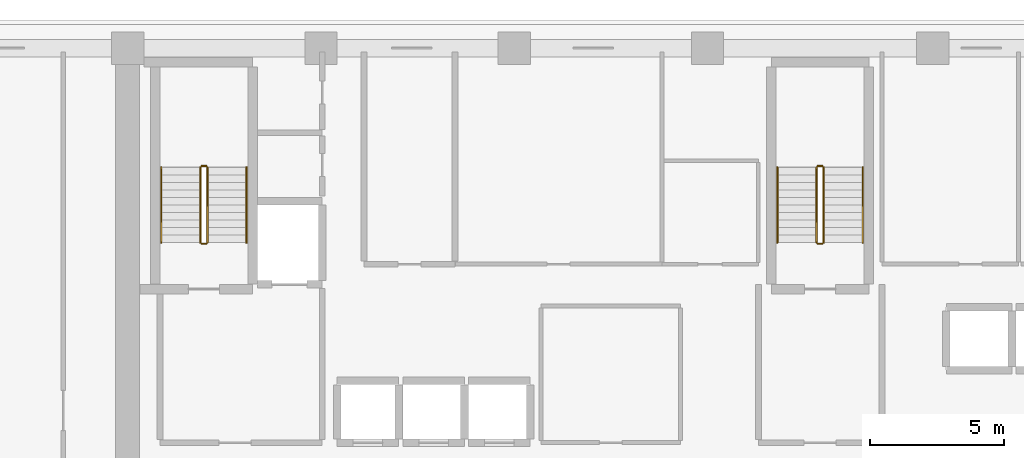
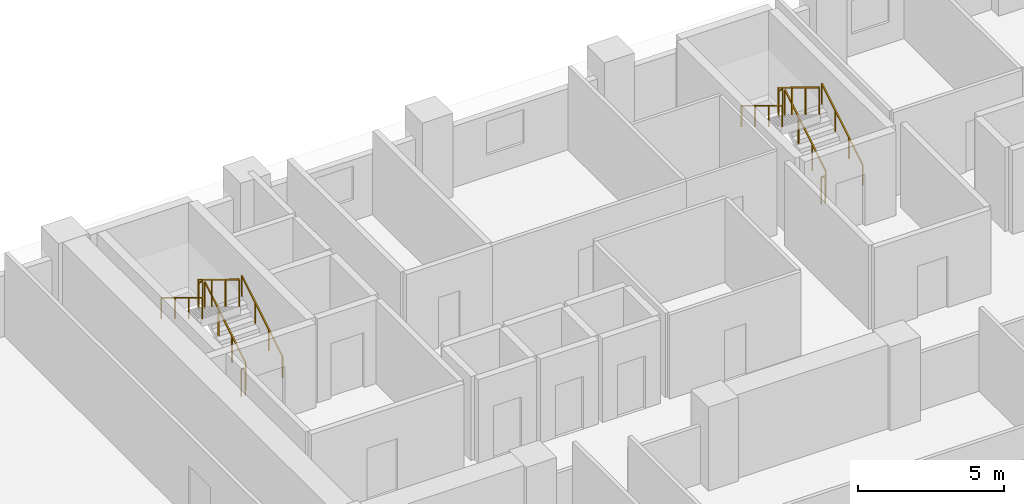
# One storey, part 12 of 14: 12 railings.
"""IFC4 building model written with IfcOpenShell, lengths in metres."""

from ifc_helpers import new_model, si_unit, direction, frame, origin, origin_2d, place, context, subcontext, project, spatial, rectangle, extrude, material, type_object, element, save


model = new_model("IFC4")

# Units and contexts
model_context = context("Model", 3, precision=1e-05, world=origin(), true_north=direction((0.0, 1.0)))
body_context = subcontext(model_context, "Body", "Model", "MODEL_VIEW")
ifc_project = project(units=[si_unit("LENGTHUNIT", "METRE"), si_unit("AREAUNIT", "SQUARE_METRE"), si_unit("VOLUMEUNIT", "CUBIC_METRE"), si_unit("PLANEANGLEUNIT", "RADIAN"), si_unit("MASSUNIT", "GRAM", prefix="KILO")], contexts=[model_context])

# Site, building, storey
site_placement = place(None, origin())
site = spatial("IfcSite", under=ifc_project, at=site_placement, CompositionType="ELEMENT")
building_placement = place(site_placement, origin())
building = spatial("IfcBuilding", under=site, at=building_placement, Name="Kaelvorn Grand Hotel", CompositionType="ELEMENT")
storey_placement = place(building_placement, frame((0.0, 0.0, 93.050048828125)))
storey = spatial("IfcBuildingStorey", under=building, at=storey_placement, Name="L21", CompositionType="ELEMENT", Elevation=93.050048828125)

# Railings
ifc_material = material(Name="Stainless Steel", Category="steel")
railing_type_1 = type_object("IfcRailingType", Name="RL-HANDRAIL-900", PredefinedType="HANDRAIL", material=ifc_material)
railing_1_placement = place(storey_placement, frame((20.6298828125, 41.760009765625, 0.17041015625)))
element("IfcRailing", 1, at=railing_1_placement, inside=storey, type_object=railing_type_1, Name="L21 ST1 stair handrail 1", PredefinedType="HANDRAIL", context=body_context, shape_type="SweptSolid", body=[
    extrude(rectangle(XDim=0.048095703125, YDim=0.048095703125, at=origin_2d()), frame((0.0, 0.0, 0.8759765625), z_axis=(0.0, 0.854169791009, 0.51999420009), x_axis=(-1.0, 0.0, 0.0)), (0.0, 0.0, 1.0), 3.278076171875),
    extrude(rectangle(XDim=0.0419921875, YDim=0.0419921875, at=origin_2d()), origin(), (0.0, 0.0, 1.0), 0.851806640625),
    extrude(rectangle(XDim=0.0419921875, YDim=0.0419921875, at=origin_2d()), frame((0.0, 0.933349609375, 0.568115234375)), (0.0, 0.0, 1.0), 0.851806640625),
    extrude(rectangle(XDim=0.0419921875, YDim=0.0419921875, at=origin_2d()), frame((0.0, 1.86669921875, 1.136474609375)), (0.0, 0.0, 1.0), 0.851806640625),
    extrude(rectangle(XDim=0.0419921875, YDim=0.0419921875, at=origin_2d()), frame((0.0, 2.800048828125, 1.70458984375)), (0.0, 0.0, 1.0), 0.851806640625),
])
railing_2_placement = place(storey_placement, frame((17.449951171875, 44.56005859375, 2.04541015625)))
element("IfcRailing", 2, at=railing_2_placement, inside=storey, type_object=railing_type_1, Name="L21 ST1 stair handrail 2", PredefinedType="HANDRAIL", context=body_context, shape_type="SweptSolid", body=[
    extrude(rectangle(XDim=0.048095703125, YDim=0.048095703125, at=origin_2d()), frame((0.0, 0.0, 0.8759765625), z_axis=(0.0, -0.854169791009, 0.51999420009), x_axis=(1.0, 0.0, 0.0)), (0.0, 0.0, 1.0), 3.278076171875),
    extrude(rectangle(XDim=0.0419921875, YDim=0.0419921875, at=origin_2d()), origin(), (0.0, 0.0, 1.0), 0.851806640625),
    extrude(rectangle(XDim=0.0419921875, YDim=0.0419921875, at=origin_2d()), frame((0.0, -0.933349609375, 0.568115234375)), (0.0, 0.0, 1.0), 0.851806640625),
    extrude(rectangle(XDim=0.0419921875, YDim=0.0419921875, at=origin_2d()), frame((0.0, -1.86669921875, 1.136474609375)), (0.0, 0.0, 1.0), 0.851806640625),
    extrude(rectangle(XDim=0.0419921875, YDim=0.0419921875, at=origin_2d()), frame((0.0, -2.800048828125, 1.70458984375)), (0.0, 0.0, 1.0), 0.851806640625),
])
railing_3_placement = place(storey_placement, frame((43.590087890625, 41.760009765625, 0.17041015625)))
element("IfcRailing", 3, at=railing_3_placement, inside=storey, type_object=railing_type_1, Name="L21 ST2 stair handrail 1", PredefinedType="HANDRAIL", context=body_context, shape_type="SweptSolid", body=[
    extrude(rectangle(XDim=0.048095703125, YDim=0.048095703125, at=origin_2d()), frame((0.0, 0.0, 0.8759765625), z_axis=(0.0, 0.854169791009, 0.51999420009), x_axis=(-1.0, 0.0, 0.0)), (0.0, 0.0, 1.0), 3.278076171875),
    extrude(rectangle(XDim=0.0419921875, YDim=0.0419921875, at=origin_2d()), origin(), (0.0, 0.0, 1.0), 0.851806640625),
    extrude(rectangle(XDim=0.0419921875, YDim=0.0419921875, at=origin_2d()), frame((0.0, 0.933349609375, 0.568115234375)), (0.0, 0.0, 1.0), 0.851806640625),
    extrude(rectangle(XDim=0.0419921875, YDim=0.0419921875, at=origin_2d()), frame((0.0, 1.86669921875, 1.136474609375)), (0.0, 0.0, 1.0), 0.851806640625),
    extrude(rectangle(XDim=0.0419921875, YDim=0.0419921875, at=origin_2d()), frame((0.0, 2.800048828125, 1.70458984375)), (0.0, 0.0, 1.0), 0.851806640625),
])
railing_4_placement = place(storey_placement, frame((40.409912109375, 44.56005859375, 2.04541015625)))
element("IfcRailing", 4, at=railing_4_placement, inside=storey, type_object=railing_type_1, Name="L21 ST2 stair handrail 2", PredefinedType="HANDRAIL", context=body_context, shape_type="SweptSolid", body=[
    extrude(rectangle(XDim=0.048095703125, YDim=0.048095703125, at=origin_2d()), frame((0.0, 0.0, 0.8759765625), z_axis=(0.0, -0.854169791009, 0.51999420009), x_axis=(1.0, 0.0, 0.0)), (0.0, 0.0, 1.0), 3.278076171875),
    extrude(rectangle(XDim=0.0419921875, YDim=0.0419921875, at=origin_2d()), origin(), (0.0, 0.0, 1.0), 0.851806640625),
    extrude(rectangle(XDim=0.0419921875, YDim=0.0419921875, at=origin_2d()), frame((0.0, -0.933349609375, 0.568115234375)), (0.0, 0.0, 1.0), 0.851806640625),
    extrude(rectangle(XDim=0.0419921875, YDim=0.0419921875, at=origin_2d()), frame((0.0, -1.86669921875, 1.136474609375)), (0.0, 0.0, 1.0), 0.851806640625),
    extrude(rectangle(XDim=0.0419921875, YDim=0.0419921875, at=origin_2d()), frame((0.0, -2.800048828125, 1.70458984375)), (0.0, 0.0, 1.0), 0.851806640625),
])
railing_type_2 = type_object("IfcRailingType", Name="RL-STAIR-GUARD-1150", PredefinedType="BALUSTRADE", material=ifc_material)
railing_5_placement = place(storey_placement, frame((19.169921875, 41.760009765625, 0.17041015625)))
element("IfcRailing", 5, at=railing_5_placement, inside=storey, type_object=railing_type_2, Name="L21 ST1 stair guard 1", PredefinedType="BALUSTRADE", context=body_context, shape_type="SweptSolid", body=[
    extrude(rectangle(XDim=0.048095703125, YDim=0.048095703125, at=origin_2d()), frame((0.0, 0.0, 1.1259765625), z_axis=(0.0, 0.854169791009, 0.51999420009), x_axis=(-1.0, 0.0, 0.0)), (0.0, 0.0, 1.0), 3.278076171875),
    extrude(rectangle(XDim=0.0419921875, YDim=0.0419921875, at=origin_2d()), origin(), (0.0, 0.0, 1.0), 1.101806640625),
    extrude(rectangle(XDim=0.0419921875, YDim=0.0419921875, at=origin_2d()), frame((0.0, 0.933349609375, 0.568115234375)), (0.0, 0.0, 1.0), 1.101806640625),
    extrude(rectangle(XDim=0.0419921875, YDim=0.0419921875, at=origin_2d()), frame((0.0, 1.86669921875, 1.136474609375)), (0.0, 0.0, 1.0), 1.101806640625),
    extrude(rectangle(XDim=0.0419921875, YDim=0.0419921875, at=origin_2d()), frame((0.0, 2.800048828125, 1.70458984375)), (0.0, 0.0, 1.0), 1.101806640625),
])
railing_6_placement = place(storey_placement, frame((19.1201171875, 44.610107421875, 1.875)))
element("IfcRailing", 6, at=railing_6_placement, inside=storey, type_object=railing_type_2, Name="L21 ST1 stair guard 2", PredefinedType="BALUSTRADE", context=body_context, shape_type="SweptSolid", body=[
    extrude(rectangle(XDim=0.048095703125, YDim=0.048095703125, at=origin_2d()), frame((0.0, 0.0, 1.1259765625), z_axis=(-1.0, 0.0, 0.0), x_axis=(0.0, -1.0, 0.0)), (0.0, 0.0, 1.0), 0.16015625),
    extrude(rectangle(XDim=0.0419921875, YDim=0.0419921875, at=origin_2d()), origin(), (0.0, 0.0, 1.0), 1.101806640625),
    extrude(rectangle(XDim=0.0419921875, YDim=0.0419921875, at=origin_2d()), frame((-0.16015625, 0.0, 0.0)), (0.0, 0.0, 1.0), 1.101806640625),
])
railing_7_placement = place(storey_placement, frame((18.909912109375, 44.56005859375, 2.04541015625)))
element("IfcRailing", 7, at=railing_7_placement, inside=storey, type_object=railing_type_2, Name="L21 ST1 stair guard 3", PredefinedType="BALUSTRADE", context=body_context, shape_type="SweptSolid", body=[
    extrude(rectangle(XDim=0.048095703125, YDim=0.048095703125, at=origin_2d()), frame((0.0, 0.0, 1.1259765625), z_axis=(0.0, -0.854169791009, 0.51999420009), x_axis=(1.0, 0.0, 0.0)), (0.0, 0.0, 1.0), 3.278076171875),
    extrude(rectangle(XDim=0.0419921875, YDim=0.0419921875, at=origin_2d()), origin(), (0.0, 0.0, 1.0), 1.101806640625),
    extrude(rectangle(XDim=0.0419921875, YDim=0.0419921875, at=origin_2d()), frame((0.0, -0.933349609375, 0.568115234375)), (0.0, 0.0, 1.0), 1.101806640625),
    extrude(rectangle(XDim=0.0419921875, YDim=0.0419921875, at=origin_2d()), frame((0.0, -1.86669921875, 1.136474609375)), (0.0, 0.0, 1.0), 1.101806640625),
    extrude(rectangle(XDim=0.0419921875, YDim=0.0419921875, at=origin_2d()), frame((0.0, -2.800048828125, 1.70458984375)), (0.0, 0.0, 1.0), 1.101806640625),
])
railing_8_placement = place(storey_placement, frame((19.1201171875, 41.7099609375, 0.0)))
element("IfcRailing", 8, at=railing_8_placement, inside=storey, type_object=railing_type_2, Name="L21 ST1 stair guard 4", PredefinedType="BALUSTRADE", context=body_context, shape_type="SweptSolid", body=[
    extrude(rectangle(XDim=0.048095703125, YDim=0.048095703125, at=origin_2d()), frame((0.0, 0.0, 1.1259765625), z_axis=(-1.0, 0.0, 0.0), x_axis=(0.0, -1.0, 0.0)), (0.0, 0.0, 1.0), 0.16015625),
    extrude(rectangle(XDim=0.0419921875, YDim=0.0419921875, at=origin_2d()), origin(), (0.0, 0.0, 1.0), 1.101806640625),
    extrude(rectangle(XDim=0.0419921875, YDim=0.0419921875, at=origin_2d()), frame((-0.16015625, 0.0, 0.0)), (0.0, 0.0, 1.0), 1.101806640625),
])
railing_9_placement = place(storey_placement, frame((42.1298828125, 41.760009765625, 0.17041015625)))
element("IfcRailing", 9, at=railing_9_placement, inside=storey, type_object=railing_type_2, Name="L21 ST2 stair guard 1", PredefinedType="BALUSTRADE", context=body_context, shape_type="SweptSolid", body=[
    extrude(rectangle(XDim=0.048095703125, YDim=0.048095703125, at=origin_2d()), frame((0.0, 0.0, 1.1259765625), z_axis=(0.0, 0.854169791009, 0.51999420009), x_axis=(-1.0, 0.0, 0.0)), (0.0, 0.0, 1.0), 3.278076171875),
    extrude(rectangle(XDim=0.0419921875, YDim=0.0419921875, at=origin_2d()), origin(), (0.0, 0.0, 1.0), 1.101806640625),
    extrude(rectangle(XDim=0.0419921875, YDim=0.0419921875, at=origin_2d()), frame((0.0, 0.933349609375, 0.568115234375)), (0.0, 0.0, 1.0), 1.101806640625),
    extrude(rectangle(XDim=0.0419921875, YDim=0.0419921875, at=origin_2d()), frame((0.0, 1.86669921875, 1.136474609375)), (0.0, 0.0, 1.0), 1.101806640625),
    extrude(rectangle(XDim=0.0419921875, YDim=0.0419921875, at=origin_2d()), frame((0.0, 2.800048828125, 1.70458984375)), (0.0, 0.0, 1.0), 1.101806640625),
])
railing_10_placement = place(storey_placement, frame((42.080078125, 44.610107421875, 1.875)))
element("IfcRailing", 10, at=railing_10_placement, inside=storey, type_object=railing_type_2, Name="L21 ST2 stair guard 2", PredefinedType="BALUSTRADE", context=body_context, shape_type="SweptSolid", body=[
    extrude(rectangle(XDim=0.048095703125, YDim=0.048095703125, at=origin_2d()), frame((0.0, 0.0, 1.1259765625), z_axis=(-1.0, 0.0, 0.0), x_axis=(0.0, -1.0, 0.0)), (0.0, 0.0, 1.0), 0.16015625),
    extrude(rectangle(XDim=0.0419921875, YDim=0.0419921875, at=origin_2d()), origin(), (0.0, 0.0, 1.0), 1.101806640625),
    extrude(rectangle(XDim=0.0419921875, YDim=0.0419921875, at=origin_2d()), frame((-0.16015625, 0.0, 0.0)), (0.0, 0.0, 1.0), 1.101806640625),
])
railing_11_placement = place(storey_placement, frame((41.8701171875, 44.56005859375, 2.04541015625)))
element("IfcRailing", 11, at=railing_11_placement, inside=storey, type_object=railing_type_2, Name="L21 ST2 stair guard 3", PredefinedType="BALUSTRADE", context=body_context, shape_type="SweptSolid", body=[
    extrude(rectangle(XDim=0.048095703125, YDim=0.048095703125, at=origin_2d()), frame((0.0, 0.0, 1.1259765625), z_axis=(0.0, -0.854169791009, 0.51999420009), x_axis=(1.0, 0.0, 0.0)), (0.0, 0.0, 1.0), 3.278076171875),
    extrude(rectangle(XDim=0.0419921875, YDim=0.0419921875, at=origin_2d()), origin(), (0.0, 0.0, 1.0), 1.101806640625),
    extrude(rectangle(XDim=0.0419921875, YDim=0.0419921875, at=origin_2d()), frame((0.0, -0.933349609375, 0.568115234375)), (0.0, 0.0, 1.0), 1.101806640625),
    extrude(rectangle(XDim=0.0419921875, YDim=0.0419921875, at=origin_2d()), frame((0.0, -1.86669921875, 1.136474609375)), (0.0, 0.0, 1.0), 1.101806640625),
    extrude(rectangle(XDim=0.0419921875, YDim=0.0419921875, at=origin_2d()), frame((0.0, -2.800048828125, 1.70458984375)), (0.0, 0.0, 1.0), 1.101806640625),
])
railing_12_placement = place(storey_placement, frame((42.080078125, 41.7099609375, 0.0)))
element("IfcRailing", 12, at=railing_12_placement, inside=storey, type_object=railing_type_2, Name="L21 ST2 stair guard 4", PredefinedType="BALUSTRADE", context=body_context, shape_type="SweptSolid", body=[
    extrude(rectangle(XDim=0.048095703125, YDim=0.048095703125, at=origin_2d()), frame((0.0, 0.0, 1.1259765625), z_axis=(-1.0, 0.0, 0.0), x_axis=(0.0, -1.0, 0.0)), (0.0, 0.0, 1.0), 0.16015625),
    extrude(rectangle(XDim=0.0419921875, YDim=0.0419921875, at=origin_2d()), origin(), (0.0, 0.0, 1.0), 1.101806640625),
    extrude(rectangle(XDim=0.0419921875, YDim=0.0419921875, at=origin_2d()), frame((-0.16015625, 0.0, 0.0)), (0.0, 0.0, 1.0), 1.101806640625),
])

save(model, "model.ifc")
